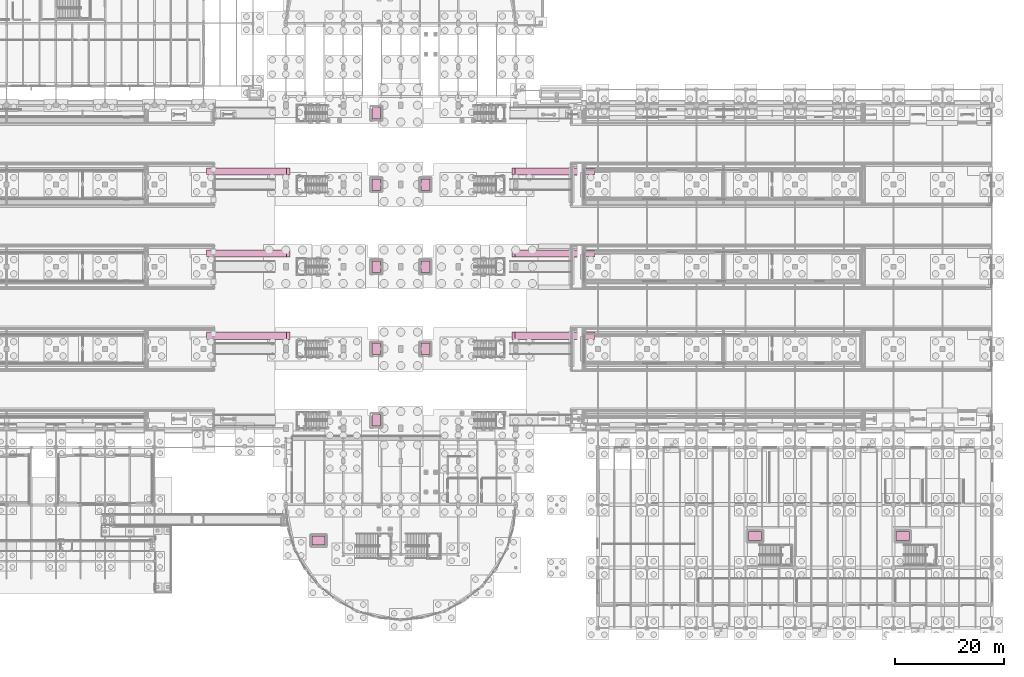
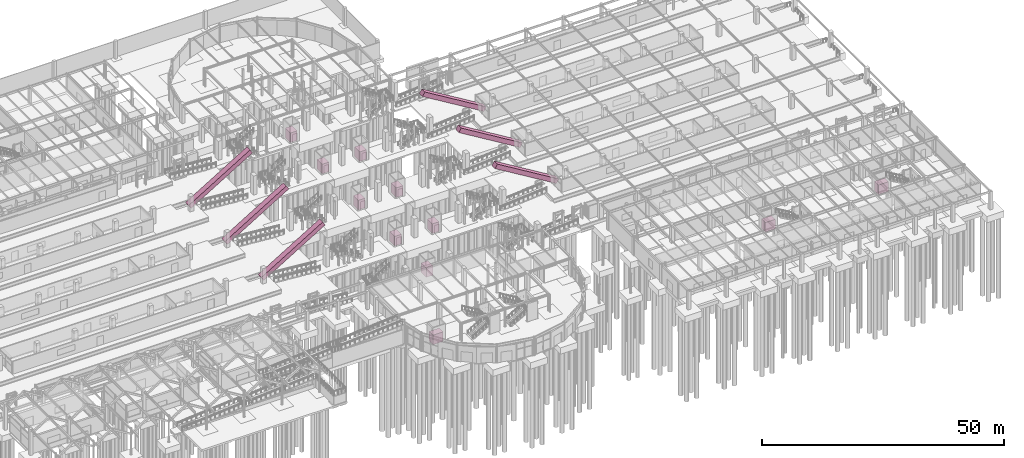
# One storey, part 160 of 160: 17 transport elements.
"""IFC4 building model written with IfcOpenShell, lengths in metres."""

from ifc_helpers import new_model, si_unit, direction, frame, origin, origin_2d, place, context, subcontext, project, spatial, polyline, rectangle, outline, extrude, material, type_object, element, save


model = new_model("IFC4")

# Units and contexts
model_context = context("Model", 3, precision=1e-05, world=origin(), true_north=direction((0.0, 1.0)))
body_context = subcontext(model_context, "Body", "Model", "MODEL_VIEW")
ifc_project = project(units=[si_unit("LENGTHUNIT", "METRE"), si_unit("AREAUNIT", "SQUARE_METRE"), si_unit("VOLUMEUNIT", "CUBIC_METRE"), si_unit("PLANEANGLEUNIT", "RADIAN"), si_unit("MASSUNIT", "GRAM", prefix="KILO")], contexts=[model_context])

# Site, building, storey
site_placement = place(None, origin())
site = spatial("IfcSite", under=ifc_project, at=site_placement, CompositionType="ELEMENT")
building_placement = place(site_placement, origin())
building = spatial("IfcBuilding", under=site, at=building_placement, Name="Marlcrest Central Station", CompositionType="ELEMENT")
storey_placement = place(building_placement, origin())
storey = spatial("IfcBuildingStorey", under=building, at=storey_placement, Name="L00", CompositionType="ELEMENT", Elevation=0.0)

# Transport elements
ifc_material_1 = material(Name="Stainless steel passenger lift car", Category="steel")
transport_element_type_1 = type_object("IfcTransportElementType", Name="EL-PRM", PredefinedType="ELEVATOR", material=ifc_material_1)
for number, where, z_axis, x_axis, name in (
    (1, (103.5, 37.949951171875, 0.0), (0.0, 0.0, 1.0), (1.0, 0.0, 0.0), "LF-P1"),
    (2, (103.5, 51.0, 0.0), (0.0, 0.0, 1.0), (1.0, 0.0, 0.0), "LF-P2"),
    (3, (112.5, 51.0, 0.0), (0.0, 0.0, 1.0), (1.0, 0.0, 0.0), "LF-P3"),
    (4, (103.5, 66.0, 0.0), (0.0, 0.0, 1.0), (1.0, 0.0, 0.0), "LF-P4"),
    (5, (112.5, 66.0, 0.0), (0.0, 0.0, 1.0), (1.0, 0.0, 0.0), "LF-P5"),
    (6, (103.5, 81.0, 0.0), (0.0, 0.0, 1.0), (1.0, 0.0, 0.0), "LF-P6"),
    (7, (112.5, 81.0, 0.0), (0.0, 0.0, 1.0), (1.0, 0.0, 0.0), "LF-P7"),
    (8, (103.5, 94.050048828125, 0.0), (0.0, 0.0, 1.0), (1.0, 0.0, 0.0), "LF-P8"),
):
    element("IfcTransportElement", number, at=place(storey_placement, frame(where, z_axis=z_axis, x_axis=x_axis)), inside=storey, type_object=transport_element_type_1, Name=name, PredefinedType="ELEVATOR", context=body_context, shape_type="SweptSolid", body=[
        extrude(rectangle(XDim=1.60009765625, YDim=2.10009765625, at=origin_2d()), origin(), (0.0, 0.0, 1.0), 2.39990234375),
    ])
ifc_material_2 = material(Name="Stainless steel stretcher lift car", Category="steel")
transport_element_type_2 = type_object("IfcTransportElementType", Name="EL-STR", PredefinedType="ELEVATOR", material=ifc_material_2)
for number, where, z_axis, x_axis, name in (
    (9, (93.0, 16.0, 0.0), (0.0, 0.0, 1.0), (1.0, 0.0, 0.0), "LF-C1"),
    (10, (172.699951171875, 16.800048828125, 0.0), (0.0, 0.0, 1.0), (1.0, 0.0, 0.0), "LF-R1"),
    (11, (199.699951171875, 16.800048828125, 0.0), (0.0, 0.0, 1.0), (1.0, 0.0, 0.0), "LF-R2"),
):
    element("IfcTransportElement", number, at=place(storey_placement, frame(where, z_axis=z_axis, x_axis=x_axis)), inside=storey, type_object=transport_element_type_2, Name=name, PredefinedType="ELEVATOR", context=body_context, shape_type="SweptSolid", body=[
        extrude(rectangle(XDim=2.39990234375, YDim=1.60009765625, at=origin_2d()), origin(), (0.0, 0.0, 1.0), 2.39990234375),
    ])
ifc_material_3 = material(Name="Heavy-duty transit escalator")
transport_element_type_3 = type_object("IfcTransportElementType", Name="ES-01", PredefinedType="ESCALATOR", material=ifc_material_3)
transport_element_1_placement = place(storey_placement, frame((72.5, 52.75, 0.9150390625), z_axis=(-0.51856980265, 0.0, 0.855035297388), x_axis=(0.855035297388, 0.0, 0.51856980265)))
element("IfcTransportElement", 12, at=transport_element_1_placement, inside=storey, type_object=transport_element_type_3, Name="ESC-01", PredefinedType="ESCALATOR", context=body_context, shape_type="SweptSolid", body=[
    extrude(outline(polyline([(0.0, 0.0), (17.13368136789824, 0.0), (17.13368136789824, 1.300048828125), (0.0, 1.300048828125), (0.0, 0.0)])), origin(), (0.0, 0.0, -1.0), 1.10009765625),
])
transport_element_2_placement = place(storey_placement, frame((143.5, 52.75, 0.9150390625), z_axis=(0.51856980265, 0.0, 0.855035297388), x_axis=(-0.855035297388, 0.0, 0.51856980265)))
element("IfcTransportElement", 13, at=transport_element_2_placement, inside=storey, type_object=transport_element_type_3, Name="ESC-02", PredefinedType="ESCALATOR", context=body_context, shape_type="SweptSolid", body=[
    extrude(outline(polyline([(0.0, 0.0), (17.13368136789824, 0.0), (17.13368136789824, -1.300048828125), (0.0, -1.300048828125), (0.0, 0.0)])), origin(), (0.0, 0.0, -1.0), 1.10009765625),
])
transport_element_3_placement = place(storey_placement, frame((72.5, 67.75, 0.9150390625), z_axis=(-0.51856980265, 0.0, 0.855035297388), x_axis=(0.855035297388, 0.0, 0.51856980265)))
element("IfcTransportElement", 14, at=transport_element_3_placement, inside=storey, type_object=transport_element_type_3, Name="ESC-03", PredefinedType="ESCALATOR", context=body_context, shape_type="SweptSolid", body=[
    extrude(outline(polyline([(0.0, 0.0), (17.13368136789824, 0.0), (17.13368136789824, 1.300048828125), (0.0, 1.300048828125), (0.0, 0.0)])), origin(), (0.0, 0.0, -1.0), 1.10009765625),
])
transport_element_4_placement = place(storey_placement, frame((143.5, 67.75, 0.9150390625), z_axis=(0.51856980265, 0.0, 0.855035297388), x_axis=(-0.855035297388, 0.0, 0.51856980265)))
element("IfcTransportElement", 15, at=transport_element_4_placement, inside=storey, type_object=transport_element_type_3, Name="ESC-04", PredefinedType="ESCALATOR", context=body_context, shape_type="SweptSolid", body=[
    extrude(outline(polyline([(0.0, 0.0), (17.13368136789824, 0.0), (17.13368136789824, -1.300048828125), (0.0, -1.300048828125), (0.0, 0.0)])), origin(), (0.0, 0.0, -1.0), 1.10009765625),
])
transport_element_5_placement = place(storey_placement, frame((72.5, 82.75, 0.9150390625), z_axis=(-0.51856980265, 0.0, 0.855035297388), x_axis=(0.855035297388, 0.0, 0.51856980265)))
element("IfcTransportElement", 16, at=transport_element_5_placement, inside=storey, type_object=transport_element_type_3, Name="ESC-05", PredefinedType="ESCALATOR", context=body_context, shape_type="SweptSolid", body=[
    extrude(outline(polyline([(0.0, 0.0), (17.13368136789824, 0.0), (17.13368136789824, 1.300048828125), (0.0, 1.300048828125), (0.0, 0.0)])), origin(), (0.0, 0.0, -1.0), 1.10009765625),
])
transport_element_6_placement = place(storey_placement, frame((143.5, 82.75, 0.9150390625), z_axis=(0.51856980265, 0.0, 0.855035297388), x_axis=(-0.855035297388, 0.0, 0.51856980265)))
element("IfcTransportElement", 17, at=transport_element_6_placement, inside=storey, type_object=transport_element_type_3, Name="ESC-06", PredefinedType="ESCALATOR", context=body_context, shape_type="SweptSolid", body=[
    extrude(outline(polyline([(0.0, 0.0), (17.13368136789824, 0.0), (17.13368136789824, -1.300048828125), (0.0, -1.300048828125), (0.0, 0.0)])), origin(), (0.0, 0.0, -1.0), 1.10009765625),
])

save(model, "model.ifc")
